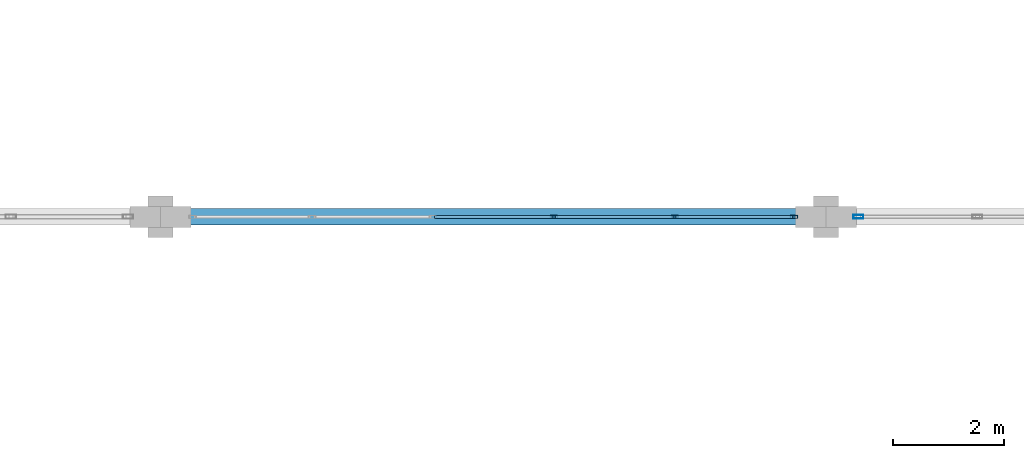
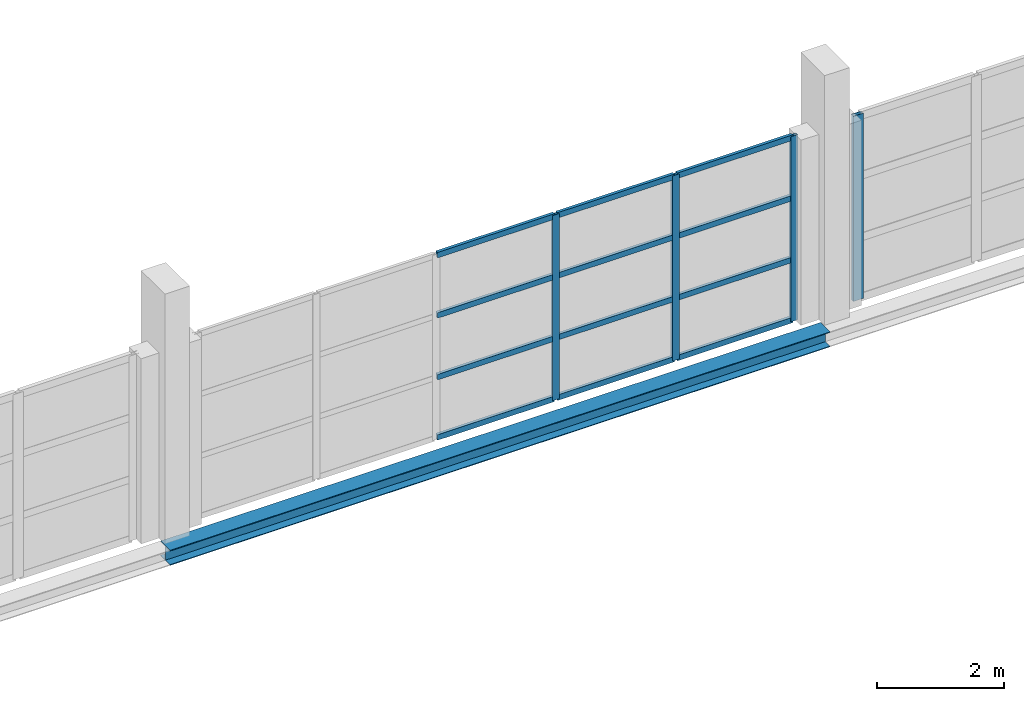
# One storey, part 77 of 147: 16 members, 1 beam, 2 elements without a shape of their own.
"""IFC4 building model written with IfcOpenShell, lengths in metres."""

from ifc_helpers import new_model, si_unit, direction, frame, origin, origin_2d, place, context, subcontext, project, spatial, hollow_rectangle, i_section, extrude, material, layer, layer_set, material_profile, profile_set, type_object, element, aggregate, save


model = new_model("IFC4")

# Units and contexts
model_context = context("Model", 3, precision=1e-05, world=origin(), true_north=direction((0.0, 1.0)))
body_context = subcontext(model_context, "Body", "Model", "MODEL_VIEW")
ifc_project = project(units=[si_unit("LENGTHUNIT", "METRE"), si_unit("AREAUNIT", "SQUARE_METRE"), si_unit("VOLUMEUNIT", "CUBIC_METRE"), si_unit("PLANEANGLEUNIT", "RADIAN"), si_unit("MASSUNIT", "GRAM", prefix="KILO")], contexts=[model_context])

# Site, building, storey
site_placement = place(None, origin())
site = spatial("IfcSite", under=ifc_project, at=site_placement, CompositionType="ELEMENT")
building_placement = place(site_placement, origin())
building = spatial("IfcBuilding", under=site, at=building_placement, Name="Zilviju Railside Exhibition Hall", CompositionType="ELEMENT")
storey_placement = place(building_placement, frame((0.0, 0.0, 8.39990234375)))
storey = spatial("IfcBuildingStorey", under=building, at=storey_placement, Name="L03", CompositionType="ELEMENT", Elevation=8.39990234375)

# Beam
ifc_material_1 = material(Name="Steel S355J2", Category="steel")
ifc_material_profile_1 = material_profile(ifc_material_1, i_section(OverallWidth=0.300048828125, OverallDepth=0.2900390625, WebThickness=0.008544921875, FlangeThickness=0.013916015625, at=origin_2d()), Name="HEA 300")
ifc_profile_set_1 = profile_set([ifc_material_profile_1], Name="Steel S355J2")
beam_type = type_object("IfcBeamType", Name="BM-HEA300", PredefinedType="SPANDREL", material=ifc_profile_set_1)
beam_placement = place(storey_placement, frame((132.0, 54.0, -0.48486328125), z_axis=(1.0, 0.0, 0.0), x_axis=(0.0, 1.0, 0.0)))
element("IfcBeam", 1, at=beam_placement, inside=storey, type_object=beam_type, Name="Primary Girder L03 Y=54.0 (132.0..144.0)", PredefinedType="SPANDREL", context=body_context, shape_type="SweptSolid", body=[
    extrude(i_section(OverallWidth=0.300048828125, OverallDepth=0.2900390625, WebThickness=0.008544921875, FlangeThickness=0.013916015625, at=origin_2d()), origin(), (0.0, 0.0, 1.0), 12.0),
])

# Curtain wall, members
ifc_material_2 = material(Name="Thermally broken aluminium-steel triple-glazed curtain wall", Category="steel")
ifc_layer_1 = layer(ifc_material_2, 0.179931640625)
ifc_layer_set_1 = layer_set([ifc_layer_1], Name="Thermally broken aluminium-steel triple-glazed curtain wall")
curtain_wall_type_1 = type_object("IfcCurtainWallType", Name="CW-BAY-08", PredefinedType="USERDEFINED", material=ifc_layer_set_1)
curtain_wall_1_placement = place(storey_placement, origin())
curtain_wall_1 = element("IfcCurtainWall", 2, at=curtain_wall_1_placement, inside=storey, type_object=curtain_wall_type_1, Name="South Hall Garden Court Curtain Wall L03 (132..144)", ObjectType="GLAZED CURTAIN WALL", PredefinedType="USERDEFINED")
ifc_material_3 = material(Name="Thermally broken anodized aluminium mullion", Category="aluminium")
ifc_material_profile_2 = material_profile(ifc_material_3, hollow_rectangle(XDim=0.054931640625, YDim=0.1298828125, WallThickness=0.0048828125, at=origin_2d()), Name="MULLION 130x55x5")
ifc_profile_set_2 = profile_set([ifc_material_profile_2], Name="Thermally broken anodized aluminium mullion")
member_type_1 = type_object("IfcMemberType", Name="CWM-55x130", PredefinedType="MULLION", material=ifc_profile_set_2)
member_1_placement = place(storey_placement, frame((139.090087890625, 54.0, 0.0), z_axis=(0.0, 0.0, 1.0), x_axis=(0.0, 1.0, 0.0)))
member_1 = element("IfcMember", 3, at=member_1_placement, type_object=member_type_1, Name="CW-08 mullion 4", PredefinedType="MULLION", context=body_context, shape_type="SweptSolid", body=[
    extrude(hollow_rectangle(XDim=0.054931640625, YDim=0.1298828125, WallThickness=0.0048828125, at=origin_2d()), origin(), (0.0, 0.0, 1.0), 3.56005859375),
])
member_2_placement = place(storey_placement, frame((141.27001953125, 54.0, 0.0), z_axis=(0.0, 0.0, 1.0), x_axis=(0.0, 1.0, 0.0)))
member_2 = element("IfcMember", 4, at=member_2_placement, type_object=member_type_1, Name="CW-08 mullion 5", PredefinedType="MULLION", context=body_context, shape_type="SweptSolid", body=[
    extrude(hollow_rectangle(XDim=0.054931640625, YDim=0.1298828125, WallThickness=0.0048828125, at=origin_2d()), origin(), (0.0, 0.0, 1.0), 3.56005859375),
])
member_3_placement = place(storey_placement, frame((143.422607421875, 54.0, 0.0), z_axis=(0.0, 0.0, 1.0), x_axis=(0.0, 1.0, 0.0)))
member_3 = element("IfcMember", 5, at=member_3_placement, type_object=member_type_1, Name="CW-08 mullion 6", PredefinedType="MULLION", context=body_context, shape_type="SweptSolid", body=[
    extrude(hollow_rectangle(XDim=0.054931640625, YDim=0.1298828125, WallThickness=0.0048828125, at=origin_2d()), origin(), (0.0, 0.0, 1.0), 3.56005859375),
])

# Curtain wall, member
ifc_layer_2 = layer(ifc_material_2, 0.179931640625)
ifc_layer_set_2 = layer_set([ifc_layer_2], Name="Thermally broken aluminium-steel triple-glazed curtain wall")
curtain_wall_type_2 = type_object("IfcCurtainWallType", Name="CW-BAY-09", PredefinedType="USERDEFINED", material=ifc_layer_set_2)
curtain_wall_2_placement = place(storey_placement, origin())
curtain_wall_2 = element("IfcCurtainWall", 6, at=curtain_wall_2_placement, inside=storey, type_object=curtain_wall_type_2, Name="South Hall Garden Court Curtain Wall L03 (144..156)", ObjectType="GLAZED CURTAIN WALL", PredefinedType="USERDEFINED")
ifc_material_profile_3 = material_profile(ifc_material_3, hollow_rectangle(XDim=0.070068359375, YDim=0.179931640625, WallThickness=0.0048828125, at=origin_2d()), Name="MULLION 180x70x5")
ifc_profile_set_3 = profile_set([ifc_material_profile_3], Name="Thermally broken anodized aluminium mullion")
member_type_2 = type_object("IfcMemberType", Name="CWM-70x180", PredefinedType="MULLION", material=ifc_profile_set_3)
member_4_placement = place(storey_placement, frame((144.5849609375, 54.0, 0.0), z_axis=(0.0, 0.0, 1.0), x_axis=(0.0, 1.0, 0.0)))
member_4 = element("IfcMember", 7, at=member_4_placement, type_object=member_type_2, Name="CW-09 mullion 1", PredefinedType="MULLION", context=body_context, shape_type="SweptSolid", body=[
    extrude(hollow_rectangle(XDim=0.070068359375, YDim=0.179931640625, WallThickness=0.0048828125, at=origin_2d()), origin(), (0.0, 0.0, 1.0), 3.56005859375),
])
aggregate(curtain_wall_2, [member_4])

# Member
ifc_material_4 = material(Name="Thermally broken anodized aluminium transom", Category="aluminium")
ifc_material_profile_4 = material_profile(ifc_material_4, hollow_rectangle(XDim=0.054931640625, YDim=0.10498046875, WallThickness=0.0048828125, at=origin_2d()), Name="TRANSOM 105x55x5")
ifc_profile_set_4 = profile_set([ifc_material_profile_4], Name="Thermally broken anodized aluminium transom")
member_type_3 = type_object("IfcMemberType", Name="CWT-55x105", PredefinedType="USERDEFINED", material=ifc_profile_set_4)
member_5_placement = place(storey_placement, frame((136.9375, 54.0, 0.027587890625), z_axis=(1.0, 0.0, 0.0), x_axis=(0.0, 1.0, 0.0)))
member_5 = element("IfcMember", 8, at=member_5_placement, type_object=member_type_3, Name="CW-08 transom 3.1", ObjectType="TRANSOM", PredefinedType="USERDEFINED", context=body_context, shape_type="SweptSolid", body=[
    extrude(hollow_rectangle(XDim=0.054931640625, YDim=0.10498046875, WallThickness=0.0048828125, at=origin_2d()), origin(), (0.0, 0.0, 1.0), 2.125),
])

member_6_placement = place(storey_placement, frame((136.9375, 54.0, 1.18701171875), z_axis=(1.0, 0.0, 0.0), x_axis=(0.0, 1.0, 0.0)))
member_6 = element("IfcMember", 9, at=member_6_placement, type_object=member_type_3, Name="CW-08 transom 3.2", ObjectType="TRANSOM", PredefinedType="USERDEFINED", context=body_context, shape_type="SweptSolid", body=[
    extrude(hollow_rectangle(XDim=0.054931640625, YDim=0.10498046875, WallThickness=0.0048828125, at=origin_2d()), origin(), (0.0, 0.0, 1.0), 2.125),
])

member_7_placement = place(storey_placement, frame((136.9375, 54.0, 2.373046875), z_axis=(1.0, 0.0, 0.0), x_axis=(0.0, 1.0, 0.0)))
member_7 = element("IfcMember", 10, at=member_7_placement, type_object=member_type_3, Name="CW-08 transom 3.3", ObjectType="TRANSOM", PredefinedType="USERDEFINED", context=body_context, shape_type="SweptSolid", body=[
    extrude(hollow_rectangle(XDim=0.054931640625, YDim=0.10498046875, WallThickness=0.0048828125, at=origin_2d()), origin(), (0.0, 0.0, 1.0), 2.125),
])

member_8_placement = place(storey_placement, frame((136.9375, 54.0, 3.53271484375), z_axis=(1.0, 0.0, 0.0), x_axis=(0.0, 1.0, 0.0)))
member_8 = element("IfcMember", 11, at=member_8_placement, type_object=member_type_3, Name="CW-08 transom 3.4", ObjectType="TRANSOM", PredefinedType="USERDEFINED", context=body_context, shape_type="SweptSolid", body=[
    extrude(hollow_rectangle(XDim=0.054931640625, YDim=0.10498046875, WallThickness=0.0048828125, at=origin_2d()), origin(), (0.0, 0.0, 1.0), 2.125),
])

member_9_placement = place(storey_placement, frame((139.117431640625, 54.0, 0.027587890625), z_axis=(1.0, 0.0, 0.0), x_axis=(0.0, 1.0, 0.0)))
member_9 = element("IfcMember", 12, at=member_9_placement, type_object=member_type_3, Name="CW-08 transom 4.1", ObjectType="TRANSOM", PredefinedType="USERDEFINED", context=body_context, shape_type="SweptSolid", body=[
    extrude(hollow_rectangle(XDim=0.054931640625, YDim=0.10498046875, WallThickness=0.0048828125, at=origin_2d()), origin(), (0.0, 0.0, 1.0), 2.125),
])

member_10_placement = place(storey_placement, frame((139.117431640625, 54.0, 1.18701171875), z_axis=(1.0, 0.0, 0.0), x_axis=(0.0, 1.0, 0.0)))
member_10 = element("IfcMember", 13, at=member_10_placement, type_object=member_type_3, Name="CW-08 transom 4.2", ObjectType="TRANSOM", PredefinedType="USERDEFINED", context=body_context, shape_type="SweptSolid", body=[
    extrude(hollow_rectangle(XDim=0.054931640625, YDim=0.10498046875, WallThickness=0.0048828125, at=origin_2d()), origin(), (0.0, 0.0, 1.0), 2.125),
])

member_11_placement = place(storey_placement, frame((139.117431640625, 54.0, 2.373046875), z_axis=(1.0, 0.0, 0.0), x_axis=(0.0, 1.0, 0.0)))
member_11 = element("IfcMember", 14, at=member_11_placement, type_object=member_type_3, Name="CW-08 transom 4.3", ObjectType="TRANSOM", PredefinedType="USERDEFINED", context=body_context, shape_type="SweptSolid", body=[
    extrude(hollow_rectangle(XDim=0.054931640625, YDim=0.10498046875, WallThickness=0.0048828125, at=origin_2d()), origin(), (0.0, 0.0, 1.0), 2.125),
])

member_12_placement = place(storey_placement, frame((139.117431640625, 54.0, 3.53271484375), z_axis=(1.0, 0.0, 0.0), x_axis=(0.0, 1.0, 0.0)))
member_12 = element("IfcMember", 15, at=member_12_placement, type_object=member_type_3, Name="CW-08 transom 4.4", ObjectType="TRANSOM", PredefinedType="USERDEFINED", context=body_context, shape_type="SweptSolid", body=[
    extrude(hollow_rectangle(XDim=0.054931640625, YDim=0.10498046875, WallThickness=0.0048828125, at=origin_2d()), origin(), (0.0, 0.0, 1.0), 2.125),
])

member_13_placement = place(storey_placement, frame((141.297607421875, 54.0, 0.027587890625), z_axis=(1.0, 0.0, 0.0), x_axis=(0.0, 1.0, 0.0)))
member_13 = element("IfcMember", 16, at=member_13_placement, type_object=member_type_3, Name="CW-08 transom 5.1", ObjectType="TRANSOM", PredefinedType="USERDEFINED", context=body_context, shape_type="SweptSolid", body=[
    extrude(hollow_rectangle(XDim=0.054931640625, YDim=0.10498046875, WallThickness=0.0048828125, at=origin_2d()), origin(), (0.0, 0.0, 1.0), 2.097412109375),
])

member_14_placement = place(storey_placement, frame((141.297607421875, 54.0, 1.18701171875), z_axis=(1.0, 0.0, 0.0), x_axis=(0.0, 1.0, 0.0)))
member_14 = element("IfcMember", 17, at=member_14_placement, type_object=member_type_3, Name="CW-08 transom 5.2", ObjectType="TRANSOM", PredefinedType="USERDEFINED", context=body_context, shape_type="SweptSolid", body=[
    extrude(hollow_rectangle(XDim=0.054931640625, YDim=0.10498046875, WallThickness=0.0048828125, at=origin_2d()), origin(), (0.0, 0.0, 1.0), 2.097412109375),
])

member_15_placement = place(storey_placement, frame((141.297607421875, 54.0, 2.373046875), z_axis=(1.0, 0.0, 0.0), x_axis=(0.0, 1.0, 0.0)))
member_15 = element("IfcMember", 18, at=member_15_placement, type_object=member_type_3, Name="CW-08 transom 5.3", ObjectType="TRANSOM", PredefinedType="USERDEFINED", context=body_context, shape_type="SweptSolid", body=[
    extrude(hollow_rectangle(XDim=0.054931640625, YDim=0.10498046875, WallThickness=0.0048828125, at=origin_2d()), origin(), (0.0, 0.0, 1.0), 2.097412109375),
])

member_16_placement = place(storey_placement, frame((141.297607421875, 54.0, 3.53271484375), z_axis=(1.0, 0.0, 0.0), x_axis=(0.0, 1.0, 0.0)))
member_16 = element("IfcMember", 19, at=member_16_placement, type_object=member_type_3, Name="CW-08 transom 5.4", ObjectType="TRANSOM", PredefinedType="USERDEFINED", context=body_context, shape_type="SweptSolid", body=[
    extrude(hollow_rectangle(XDim=0.054931640625, YDim=0.10498046875, WallThickness=0.0048828125, at=origin_2d()), origin(), (0.0, 0.0, 1.0), 2.097412109375),
])

aggregate(curtain_wall_1, [member_1, member_2, member_3, member_5, member_6, member_7, member_8, member_9, member_10, member_11, member_12, member_13, member_14, member_15, member_16])

save(model, "model.ifc")
